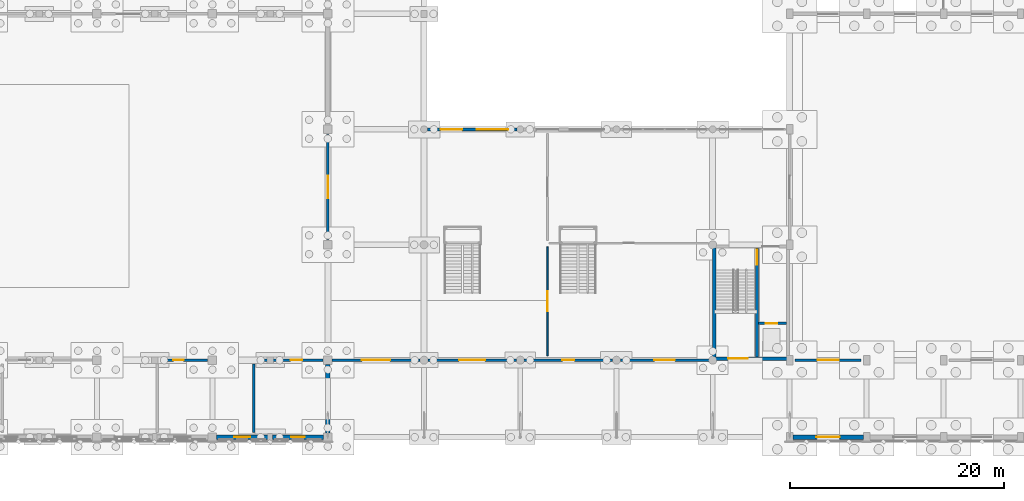
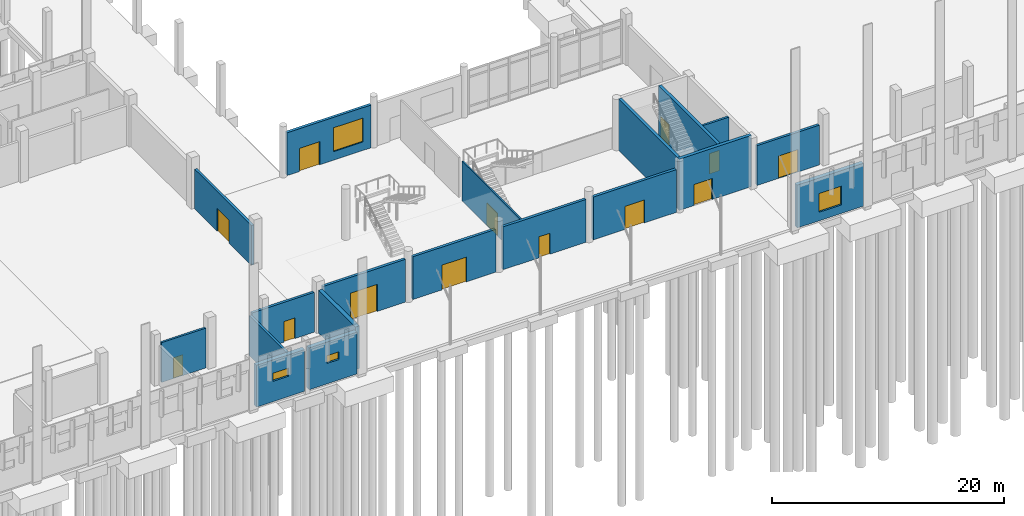
# One storey, part 84 of 109: 19 walls, 13 doors, 4 windows, 17 openings.
"""IFC4 building model written with IfcOpenShell, lengths in metres."""

from ifc_helpers import new_model, si_unit, direction, frame, frame_2d, origin, place, context, subcontext, project, spatial, rectangle, extrude, material, layer, layer_set, type_object, element, fill, save


model = new_model("IFC4")

# Units and contexts
model_context = context("Model", 3, precision=1e-05, world=origin(), true_north=direction((0.0, 1.0)))
body_context = subcontext(model_context, "Body", "Model", "MODEL_VIEW")
ifc_project = project(units=[si_unit("LENGTHUNIT", "METRE"), si_unit("AREAUNIT", "SQUARE_METRE"), si_unit("VOLUMEUNIT", "CUBIC_METRE"), si_unit("PLANEANGLEUNIT", "RADIAN"), si_unit("MASSUNIT", "GRAM", prefix="KILO")], contexts=[model_context])

# Site, building, storey
site_placement = place(None, origin())
site = spatial("IfcSite", under=ifc_project, at=site_placement, CompositionType="ELEMENT")
building_placement = place(site_placement, origin())
building = spatial("IfcBuilding", under=site, at=building_placement, Name="Lusvemor Sports Hall", CompositionType="ELEMENT")
storey_placement = place(building_placement, origin())
storey = spatial("IfcBuildingStorey", under=building, at=storey_placement, Name="L00", CompositionType="ELEMENT", Elevation=0.0)

# Wall, opening, door
ifc_material_1 = material(Name="Precast granite-faced Concrete C40/50 architectural cladding", Category="masonry")
ifc_layer_1 = layer(ifc_material_1, 0.27001953125)
ifc_layer_set_1 = layer_set([ifc_layer_1], Name="Precast granite-faced Concrete C40/50 architectural cladding")
wall_type_1 = type_object("IfcWallType", Name="EW_FOYER_270", PredefinedType="STANDARD", material=ifc_layer_set_1)
wall_1_placement = place(storey_placement, frame((84.23779296875, 7.199951171875, 0.0), z_axis=(0.0, 0.0, 1.0), x_axis=(-1.0, 0.0, 0.0)))
wall_1 = element("IfcWall", 1, at=wall_1_placement, inside=storey, type_object=wall_type_1, Name="Exterior Wall EW-V4S-L00-0", PredefinedType="STANDARD", context=body_context, shape_type="SweptSolid", body=[
    extrude(rectangle(XDim=8.24169921875, YDim=0.27001953125, at=frame_2d((4.120849609375, 0.0))), origin(), (0.0, 0.0, 1.0), 4.514892578125),
])
opening_1_placement = place(wall_1_placement, frame((2.81298828125, 0.0, 0.0)))
opening_1 = element("IfcOpeningElement", 2, at=opening_1_placement, cuts=wall_1, Name="Opening ED01", PredefinedType="OPENING", context=body_context, shape_type="SweptSolid", body=[
    extrude(rectangle(XDim=2.64990234375, YDim=2.85009765625, at=frame_2d((1.324951171875, 1.425048828125))), frame((0.0, 0.135009765625, 0.0), z_axis=(0.0, -1.0, 0.0), x_axis=(1.0, 0.0, 0.0)), (0.0, 0.0, 1.0), 0.27001953125),
])
ifc_material_2 = material(Name="Thermally broken bronze-anodized aluminium", Category="aluminium")
door_type_1 = type_object("IfcDoorType", Name="EDR_PORTAL_265x285", OperationType="NOTDEFINED", PredefinedType="DOOR", material=ifc_material_2)
door_1_placement = place(opening_1_placement, origin())
door_1 = element("IfcDoor", 3, at=door_1_placement, inside=storey, type_object=door_type_1, Name="DR-015", OperationType="SINGLE_SWING_LEFT", OverallHeight=2.85009765625, OverallWidth=2.64990234375, PredefinedType="DOOR", context=body_context, shape_type="SweptSolid", body=[
    extrude(rectangle(XDim=2.64990234375, YDim=2.85009765625, at=frame_2d((1.324951171875, 1.425048828125))), frame((0.0, 0.02490234375, 0.0), z_axis=(0.0, -1.0, 0.0), x_axis=(1.0, 0.0, 0.0)), (0.0, 0.0, 1.0), 0.050048828125),
])
fill(opening_1, door_1)

wall_2_placement = place(storey_placement, frame((93.23779296875, 7.199951171875, 0.0), z_axis=(0.0, 0.0, 1.0), x_axis=(-1.0, 0.0, 0.0)))
wall_2 = element("IfcWall", 4, at=wall_2_placement, inside=storey, type_object=wall_type_1, Name="Exterior Wall EW-V4S-L00-1", PredefinedType="STANDARD", context=body_context, shape_type="SweptSolid", body=[
    extrude(rectangle(XDim=8.275634765625, YDim=0.27001953125, at=frame_2d((4.1376953125, 0.0))), origin(), (0.0, 0.0, 1.0), 4.514892578125),
])
opening_2_placement = place(wall_2_placement, frame((2.927978515625, 0.0, 0.0)))
opening_2 = element("IfcOpeningElement", 5, at=opening_2_placement, cuts=wall_2, Name="Opening ED02", PredefinedType="OPENING", context=body_context, shape_type="SweptSolid", body=[
    extrude(rectangle(XDim=2.419921875, YDim=2.6201171875, at=frame_2d((1.2099609375, 1.31005859375))), frame((0.0, 0.135009765625, 0.0), z_axis=(0.0, -1.0, 0.0), x_axis=(1.0, 0.0, 0.0)), (0.0, 0.0, 1.0), 0.27001953125),
])
ifc_material_3 = material(Name="Thermally broken bronze-anodized aluminium", Category="aluminium")
door_type_2 = type_object("IfcDoorType", Name="EDR_FOYER_242x262", OperationType="NOTDEFINED", PredefinedType="DOOR", material=ifc_material_3)
door_2_placement = place(opening_2_placement, origin())
door_2 = element("IfcDoor", 6, at=door_2_placement, inside=storey, type_object=door_type_2, Name="DR-016", OperationType="SINGLE_SWING_RIGHT", OverallHeight=2.6201171875, OverallWidth=2.419921875, PredefinedType="DOOR", context=body_context, shape_type="SweptSolid", body=[
    extrude(rectangle(XDim=2.419921875, YDim=2.6201171875, at=frame_2d((1.2099609375, 1.31005859375))), frame((0.0, 0.02490234375, 0.0), z_axis=(0.0, -1.0, 0.0), x_axis=(1.0, 0.0, 0.0)), (0.0, 0.0, 1.0), 0.050048828125),
])
fill(opening_2, door_2)

# Wall, openings, door, window
wall_3_placement = place(storey_placement, frame((84.91064453125, 28.800048828125, 0.0), z_axis=(0.0, 0.0, 1.0), x_axis=(1.0, 0.0, 0.0)))
wall_3 = element("IfcWall", 7, at=wall_3_placement, inside=storey, type_object=wall_type_1, Name="Exterior Wall EW-V4N-L00-1", PredefinedType="STANDARD", context=body_context, shape_type="SweptSolid", body=[
    extrude(rectangle(XDim=8.378662109375, YDim=0.27001953125, at=frame_2d((4.189453125, 0.0))), origin(), (0.0, 0.0, 1.0), 4.514892578125),
])
opening_3_placement = place(wall_3_placement, frame((1.229248046875, 0.0, 0.0)))
opening_3 = element("IfcOpeningElement", 8, at=opening_3_placement, cuts=wall_3, Name="Opening ED05", PredefinedType="OPENING", context=body_context, shape_type="SweptSolid", body=[
    extrude(rectangle(XDim=2.02001953125, YDim=2.43994140625, at=frame_2d((1.010009765625, 1.219970703125))), frame((0.0, 0.135009765625, 0.0), z_axis=(0.0, -1.0, 0.0), x_axis=(1.0, 0.0, 0.0)), (0.0, 0.0, 1.0), 0.27001953125),
])
opening_4_placement = place(wall_3_placement, frame((4.62939453125, 0.0, 0.89990234375)))
opening_4 = element("IfcOpeningElement", 9, at=opening_4_placement, cuts=wall_3, Name="Opening WN26", PredefinedType="OPENING", context=body_context, shape_type="SweptSolid", body=[
    extrude(rectangle(XDim=2.919921875, YDim=2.52001953125, at=frame_2d((1.4599609375, 1.260009765625))), frame((0.0, 0.135009765625, 0.0), z_axis=(0.0, -1.0, 0.0), x_axis=(1.0, 0.0, 0.0)), (0.0, 0.0, 1.0), 0.27001953125),
])
ifc_material_4 = material(Name="Thermally broken bronze-anodized aluminium", Category="aluminium")
door_type_3 = type_object("IfcDoorType", Name="EDR_CAFE_202x244", OperationType="NOTDEFINED", PredefinedType="DOOR", material=ifc_material_4)
door_3_placement = place(opening_3_placement, origin())
door_3 = element("IfcDoor", 10, at=door_3_placement, inside=storey, type_object=door_type_3, Name="DR-017", OperationType="SINGLE_SWING_RIGHT", OverallHeight=2.43994140625, OverallWidth=2.02001953125, PredefinedType="DOOR", context=body_context, shape_type="SweptSolid", body=[
    extrude(rectangle(XDim=2.02001953125, YDim=2.43994140625, at=frame_2d((1.010009765625, 1.219970703125))), frame((0.0, 0.02490234375, 0.0), z_axis=(0.0, -1.0, 0.0), x_axis=(1.0, 0.0, 0.0)), (0.0, 0.0, 1.0), 0.050048828125),
])
fill(opening_3, door_3)
ifc_material_5 = material(Name="Solar-control laminated double glazing", Category="glass")
window_type_1 = type_object("IfcWindowType", Name="WIN_26", PartitioningType="SINGLE_PANEL", PredefinedType="WINDOW", material=ifc_material_5)
window_1_placement = place(opening_4_placement, origin())
window_1 = element("IfcWindow", 11, at=window_1_placement, inside=storey, type_object=window_type_1, Name="Community Cafe Garden Window 1", OverallHeight=2.52001953125, OverallWidth=2.919921875, PartitioningType="SINGLE_PANEL", PredefinedType="WINDOW", context=body_context, shape_type="SweptSolid", body=[
    extrude(rectangle(XDim=2.919921875, YDim=2.52001953125, at=frame_2d((1.4599609375, 1.260009765625))), frame((0.0, 0.030029296875, 0.0), z_axis=(0.0, -1.0, 0.0), x_axis=(1.0, 0.0, 0.0)), (0.0, 0.0, 1.0), 0.06005859375),
])
fill(opening_4, window_1)

# Wall, opening, door
wall_4_placement = place(storey_placement, frame((102.23779296875, 7.199951171875, 0.0), z_axis=(0.0, 0.0, 1.0), x_axis=(-1.0, 0.0, 0.0)))
wall_4 = element("IfcWall", 12, at=wall_4_placement, inside=storey, type_object=wall_type_1, Name="Exterior Wall EW-V4S-L00-2", PredefinedType="STANDARD", context=body_context, shape_type="SweptSolid", body=[
    extrude(rectangle(XDim=8.275634765625, YDim=0.27001953125, at=frame_2d((4.1376953125, 0.0))), origin(), (0.0, 0.0, 1.0), 4.514892578125),
])
opening_5_placement = place(wall_4_placement, frame((3.577880859375, 0.0, 0.0)))
opening_5 = element("IfcOpeningElement", 13, at=opening_5_placement, cuts=wall_4, Name="Opening ED11", PredefinedType="OPENING", context=body_context, shape_type="SweptSolid", body=[
    extrude(rectangle(XDim=1.1201171875, YDim=2.219970703125, at=frame_2d((0.56005859375, 1.10986328125))), frame((0.0, 0.135009765625, 0.0), z_axis=(0.0, -1.0, 0.0), x_axis=(1.0, 0.0, 0.0)), (0.0, 0.0, 1.0), 0.27001953125),
])
ifc_material_6 = material(Name="Thermally broken bronze-anodized aluminium", Category="aluminium")
door_type_4 = type_object("IfcDoorType", Name="EDR_SINGLE_112x222", OperationType="NOTDEFINED", PredefinedType="DOOR", material=ifc_material_6)
door_4_placement = place(opening_5_placement, origin())
door_4 = element("IfcDoor", 14, at=door_4_placement, inside=storey, type_object=door_type_4, Name="DR-018", OperationType="SINGLE_SWING_LEFT", OverallHeight=2.219970703125, OverallWidth=1.1201171875, PredefinedType="DOOR", context=body_context, shape_type="SweptSolid", body=[
    extrude(rectangle(XDim=1.1201171875, YDim=2.219970703125, at=frame_2d((0.56005859375, 1.10986328125))), frame((0.0, 0.02490234375, 0.0), z_axis=(0.0, -1.0, 0.0), x_axis=(1.0, 0.0, 0.0)), (0.0, 0.0, 1.0), 0.050048828125),
])
fill(opening_5, door_4)

wall_5_placement = place(storey_placement, frame((111.23779296875, 7.199951171875, 0.0), z_axis=(0.0, 0.0, 1.0), x_axis=(-1.0, 0.0, 0.0)))
wall_5 = element("IfcWall", 15, at=wall_5_placement, inside=storey, type_object=wall_type_1, Name="Exterior Wall EW-V4S-L00-3", PredefinedType="STANDARD", context=body_context, shape_type="SweptSolid", body=[
    extrude(rectangle(XDim=8.275634765625, YDim=0.27001953125, at=frame_2d((4.1376953125, 0.0))), origin(), (0.0, 0.0, 1.0), 4.514892578125),
])
opening_6_placement = place(wall_5_placement, frame((3.177978515625, 0.0, 0.0)))
opening_6 = element("IfcOpeningElement", 16, at=opening_6_placement, cuts=wall_5, Name="Opening ED06", PredefinedType="OPENING", context=body_context, shape_type="SweptSolid", body=[
    extrude(rectangle(XDim=1.919921875, YDim=2.419921875, at=frame_2d((0.9599609375, 1.2099609375))), frame((0.0, 0.135009765625, 0.0), z_axis=(0.0, -1.0, 0.0), x_axis=(1.0, 0.0, 0.0)), (0.0, 0.0, 1.0), 0.27001953125),
])
ifc_material_7 = material(Name="Thermally broken bronze-anodized aluminium", Category="aluminium")
door_type_5 = type_object("IfcDoorType", Name="EDR_SHOP_192x242", OperationType="NOTDEFINED", PredefinedType="DOOR", material=ifc_material_7)
door_5_placement = place(opening_6_placement, origin())
door_5 = element("IfcDoor", 17, at=door_5_placement, inside=storey, type_object=door_type_5, Name="DR-020", OperationType="SINGLE_SWING_RIGHT", OverallHeight=2.419921875, OverallWidth=1.919921875, PredefinedType="DOOR", context=body_context, shape_type="SweptSolid", body=[
    extrude(rectangle(XDim=1.919921875, YDim=2.419921875, at=frame_2d((0.9599609375, 1.2099609375))), frame((0.0, 0.02490234375, 0.0), z_axis=(0.0, -1.0, 0.0), x_axis=(1.0, 0.0, 0.0)), (0.0, 0.0, 1.0), 0.050048828125),
])
fill(opening_6, door_5)

# Wall
ifc_material_8 = material(Name="Precast granite-faced Concrete C40/50 architectural cladding", Category="masonry")
ifc_layer_2 = layer(ifc_material_8, 0.39501953125)
ifc_layer_set_2 = layer_set([ifc_layer_2], Name="Precast granite-faced Concrete C40/50 architectural cladding")
wall_type_2 = type_object("IfcWallType", Name="EW_GRANITE_395", PredefinedType="STANDARD", material=ifc_layer_set_2)
wall_6_placement = place(storey_placement, frame((75.60009765625, 6.803955078125, 0.0), z_axis=(0.0, 0.0, 1.0), x_axis=(0.0, -1.0, 0.0)))
element("IfcWall", 18, at=wall_6_placement, inside=storey, type_object=wall_type_2, Name="Exterior Wall EW-V1E-L00-1", PredefinedType="STANDARD", context=body_context, shape_type="SweptSolid", body=[
    extrude(rectangle(XDim=6.407958984375, YDim=0.39501953125, at=frame_2d((3.2041015625, 0.0))), origin(), (0.0, 0.0, 1.0), 4.4951171875),
])

# Wall, opening, window
wall_7_placement = place(storey_placement, frame((125.7041015625, 0.0, 0.0), z_axis=(0.0, 0.0, 1.0), x_axis=(-1.0, 0.0, 0.0)))
wall_7 = element("IfcWall", 19, at=wall_7_placement, inside=storey, type_object=wall_type_2, Name="Exterior Wall EW-V2S-L00-0", PredefinedType="STANDARD", context=body_context, shape_type="SweptSolid", body=[
    extrude(rectangle(XDim=6.608154296875, YDim=0.39501953125, at=frame_2d((3.30419921875, 0.0))), origin(), (0.0, 0.0, 1.0), 4.514892578125),
])
opening_7_placement = place(wall_7_placement, frame((2.194091796875, 0.0, 0.89990234375)))
opening_7 = element("IfcOpeningElement", 20, at=opening_7_placement, cuts=wall_7, Name="Opening WN28", PredefinedType="OPENING", context=body_context, shape_type="SweptSolid", body=[
    extrude(rectangle(XDim=2.219970703125, YDim=1.97998046875, at=frame_2d((1.10986328125, 0.989990234375))), frame((0.0, 0.197509765625, 0.0), z_axis=(0.0, -1.0, 0.0), x_axis=(1.0, 0.0, 0.0)), (0.0, 0.0, 1.0), 0.39501953125),
])
ifc_material_9 = material(Name="Solar-control laminated double glazing", Category="glass")
window_type_2 = type_object("IfcWindowType", Name="WIN_28", PartitioningType="SINGLE_PANEL", PredefinedType="WINDOW", material=ifc_material_9)
window_2_placement = place(opening_7_placement, origin())
window_2 = element("IfcWindow", 21, at=window_2_placement, inside=storey, type_object=window_type_2, Name="East Concourse Boulevard Window 0", OverallHeight=1.97998046875, OverallWidth=2.219970703125, PartitioningType="SINGLE_PANEL", PredefinedType="WINDOW", context=body_context, shape_type="SweptSolid", body=[
    extrude(rectangle(XDim=2.219970703125, YDim=1.97998046875, at=frame_2d((1.10986328125, 0.989990234375))), frame((0.0, 0.030029296875, 0.0), z_axis=(0.0, -1.0, 0.0), x_axis=(1.0, 0.0, 0.0)), (0.0, 0.0, 1.0), 0.06005859375),
])
fill(opening_7, window_2)

ifc_material_10 = material(Name="Precast granite-faced Concrete C40/50 architectural cladding", Category="masonry")
ifc_layer_3 = layer(ifc_material_10, 0.419921875)
ifc_layer_set_3 = layer_set([ifc_layer_3], Name="Precast granite-faced Concrete C40/50 architectural cladding")
wall_type_3 = type_object("IfcWallType", Name="EW_GRANITE_420", PredefinedType="STANDARD", material=ifc_layer_set_3)
wall_8_placement = place(storey_placement, frame((69.97900390625, 0.0, 0.0), z_axis=(0.0, 0.0, 1.0), x_axis=(-1.0, 0.0, 0.0)))
wall_8 = element("IfcWall", 22, at=wall_8_placement, inside=storey, type_object=wall_type_3, Name="Exterior Wall EW-V1S-L00-6-1", PredefinedType="STANDARD", context=body_context, shape_type="SweptSolid", body=[
    extrude(rectangle(XDim=4.782958984375, YDim=0.419921875, at=frame_2d((2.3916015625, 0.0))), origin(), (0.0, 0.0, 1.0), 4.405029296875),
])
opening_8_placement = place(wall_8_placement, frame((1.618896484375, 0.0, 2.14990234375)))
opening_8 = element("IfcOpeningElement", 23, at=opening_8_placement, cuts=wall_8, Name="Opening WN14", PredefinedType="OPENING", context=body_context, shape_type="SweptSolid", body=[
    extrude(rectangle(XDim=1.5400390625, YDim=0.860107421875, at=frame_2d((0.77001953125, 0.43017578125))), frame((0.0, 0.2099609375, 0.0), z_axis=(0.0, -1.0, 0.0), x_axis=(1.0, 0.0, 0.0)), (0.0, 0.0, 1.0), 0.419921875),
])
ifc_material_11 = material(Name="Solar-control laminated double glazing", Category="glass")
window_type_3 = type_object("IfcWindowType", Name="WIN_14", PartitioningType="SINGLE_PANEL", PredefinedType="WINDOW", material=ifc_material_11)
window_3_placement = place(opening_8_placement, origin())
window_3 = element("IfcWindow", 24, at=window_3_placement, inside=storey, type_object=window_type_3, Name="Boulevard Trough Changing Window 6.1", OverallHeight=0.860107421875, OverallWidth=1.5400390625, PartitioningType="SINGLE_PANEL", PredefinedType="WINDOW", context=body_context, shape_type="SweptSolid", body=[
    extrude(rectangle(XDim=1.5400390625, YDim=0.860107421875, at=frame_2d((0.77001953125, 0.43017578125))), frame((0.0, 0.030029296875, 0.0), z_axis=(0.0, -1.0, 0.0), x_axis=(1.0, 0.0, 0.0)), (0.0, 0.0, 1.0), 0.06005859375),
])
fill(opening_8, window_3)

wall_9_placement = place(storey_placement, frame((75.2041015625, 0.0, 0.0), z_axis=(0.0, 0.0, 1.0), x_axis=(-1.0, 0.0, 0.0)))
wall_9 = element("IfcWall", 25, at=wall_9_placement, inside=storey, type_object=wall_type_3, Name="Exterior Wall EW-V1S-L00-6-2", PredefinedType="STANDARD", context=body_context, shape_type="SweptSolid", body=[
    extrude(rectangle(XDim=4.783203125, YDim=0.419921875, at=frame_2d((2.3916015625, 0.0))), origin(), (0.0, 0.0, 1.0), 4.405029296875),
])
opening_9_placement = place(wall_9_placement, frame((1.77392578125, 0.0, 2.14990234375)))
opening_9 = element("IfcOpeningElement", 26, at=opening_9_placement, cuts=wall_9, Name="Opening WN15", PredefinedType="OPENING", context=body_context, shape_type="SweptSolid", body=[
    extrude(rectangle(XDim=1.239990234375, YDim=0.820068359375, at=frame_2d((0.6201171875, 0.41015625))), frame((0.0, 0.2099609375, 0.0), z_axis=(0.0, -1.0, 0.0), x_axis=(1.0, 0.0, 0.0)), (0.0, 0.0, 1.0), 0.419921875),
])
ifc_material_12 = material(Name="Solar-control laminated double glazing", Category="glass")
window_type_4 = type_object("IfcWindowType", Name="WIN_15", PartitioningType="SINGLE_PANEL", PredefinedType="WINDOW", material=ifc_material_12)
window_4_placement = place(opening_9_placement, origin())
window_4 = element("IfcWindow", 27, at=window_4_placement, inside=storey, type_object=window_type_4, Name="Boulevard Trough Changing Window 6.2", OverallHeight=0.820068359375, OverallWidth=1.239990234375, PartitioningType="SINGLE_PANEL", PredefinedType="WINDOW", context=body_context, shape_type="SweptSolid", body=[
    extrude(rectangle(XDim=1.239990234375, YDim=0.820068359375, at=frame_2d((0.6201171875, 0.41015625))), frame((0.0, 0.030029296875, 0.0), z_axis=(0.0, -1.0, 0.0), x_axis=(1.0, 0.0, 0.0)), (0.0, 0.0, 1.0), 0.06005859375),
])
fill(opening_9, window_4)

# Wall, opening, door
ifc_material_13 = material(Name="Double-leaf acoustic gypsum board on metal studs")
ifc_layer_4 = layer(ifc_material_13, 0.199951171875)
ifc_layer_set_4 = layer_set([ifc_layer_4], Name="Double-leaf acoustic gypsum board on metal studs")
wall_type_4 = type_object("IfcWallType", Name="IW_ACOUST_202", PredefinedType="STANDARD", material=ifc_layer_set_4)
wall_10_placement = place(storey_placement, frame((59.949951171875, 7.199951171875, 0.0), z_axis=(0.0, 0.0, 1.0), x_axis=(1.0, 0.0, 0.0)))
wall_10 = element("IfcWall", 28, at=wall_10_placement, inside=storey, type_object=wall_type_4, Name="Partition IW-L00-V1S-REF-S4", PredefinedType="STANDARD", context=body_context, shape_type="SweptSolid", body=[
    extrude(rectangle(XDim=4.400146484375, YDim=0.199951171875, at=frame_2d((2.2001953125, 0.0))), origin(), (0.0, 0.0, 1.0), 4.199951171875),
])
opening_10_placement = place(wall_10_placement, frame((1.2041015625, 0.0, 0.0)))
opening_10 = element("IfcOpeningElement", 29, at=opening_10_placement, cuts=wall_10, Name="Opening ID12", PredefinedType="OPENING", context=body_context, shape_type="SweptSolid", body=[
    extrude(rectangle(XDim=0.9599609375, YDim=2.139892578125, at=frame_2d((0.47998046875, 1.06982421875))), frame((0.0, 0.10009765625, 0.0), z_axis=(0.0, -1.0, 0.0), x_axis=(1.0, 0.0, 0.0)), (0.0, 0.0, 1.0), 0.199951171875),
])
ifc_material_14 = material(Name="Acoustic solid-core hardwood door leaf in steel frame", Category="steel")
door_type_6 = type_object("IfcDoorType", Name="IDR_REF_096", OperationType="NOTDEFINED", PredefinedType="DOOR", material=ifc_material_14)
door_6_placement = place(opening_10_placement, origin())
door_6 = element("IfcDoor", 30, at=door_6_placement, inside=storey, type_object=door_type_6, Name="DR-133", OperationType="SINGLE_SWING_RIGHT", OverallHeight=2.139892578125, OverallWidth=0.9599609375, PredefinedType="DOOR", context=body_context, shape_type="SweptSolid", body=[
    extrude(rectangle(XDim=0.9599609375, YDim=2.139892578125, at=frame_2d((0.47998046875, 1.06982421875))), frame((0.0, 0.02490234375, 0.0), z_axis=(0.0, -1.0, 0.0), x_axis=(1.0, 0.0, 0.0)), (0.0, 0.0, 1.0), 0.050048828125),
])
fill(opening_10, door_6)

ifc_material_15 = material(Name="Plastered ceramic masonry blockwork", Category="masonry")
ifc_layer_5 = layer(ifc_material_15, 0.25)
ifc_layer_set_5 = layer_set([ifc_layer_5], Name="Plastered ceramic masonry blockwork")
wall_type_5 = type_object("IfcWallType", Name="IW_COMP_248", PredefinedType="STANDARD", material=ifc_layer_set_5)
wall_11_placement = place(storey_placement, frame((68.949951171875, 7.199951171875, 0.0), z_axis=(0.0, 0.0, 1.0), x_axis=(1.0, 0.0, 0.0)))
wall_11 = element("IfcWall", 31, at=wall_11_placement, inside=storey, type_object=wall_type_5, Name="Partition IW-L00-V1S-FCR-S5", PredefinedType="STANDARD", context=body_context, shape_type="SweptSolid", body=[
    extrude(rectangle(XDim=6.199951171875, YDim=0.25, at=frame_2d((3.10009765625, 0.0))), origin(), (0.0, 0.0, 1.0), 4.199951171875),
])
opening_11_placement = place(wall_11_placement, frame((3.162109375, 0.0, 0.0)))
opening_11 = element("IfcOpeningElement", 32, at=opening_11_placement, cuts=wall_11, Name="Opening ID17", PredefinedType="OPENING", context=body_context, shape_type="SweptSolid", body=[
    extrude(rectangle(XDim=1.10009765625, YDim=2.179931640625, at=frame_2d((0.550048828125, 1.08984375))), frame((0.0, 0.125, 0.0), z_axis=(0.0, -1.0, 0.0), x_axis=(1.0, 0.0, 0.0)), (0.0, 0.0, 1.0), 0.25),
])
ifc_material_16 = material(Name="Fire-rated insulated painted steel door assembly", Category="steel")
door_type_7 = type_object("IfcDoorType", Name="IDR_FCR_FD60_110", OperationType="NOTDEFINED", PredefinedType="DOOR", material=ifc_material_16)
door_7_placement = place(opening_11_placement, origin())
door_7 = element("IfcDoor", 33, at=door_7_placement, inside=storey, type_object=door_type_7, Name="DR-134", OperationType="SINGLE_SWING_LEFT", OverallHeight=2.179931640625, OverallWidth=1.10009765625, PredefinedType="DOOR", context=body_context, shape_type="SweptSolid", body=[
    extrude(rectangle(XDim=1.10009765625, YDim=2.179931640625, at=frame_2d((0.550048828125, 1.08984375))), frame((0.0, 0.02490234375, 0.0), z_axis=(0.0, -1.0, 0.0), x_axis=(1.0, 0.0, 0.0)), (0.0, 0.0, 1.0), 0.050048828125),
])
fill(opening_11, door_7)

wall_12_placement = place(storey_placement, frame((75.60009765625, 18.5, 0.0), z_axis=(0.0, 0.0, 1.0), x_axis=(0.0, 1.0, 0.0)))
wall_12 = element("IfcWall", 34, at=wall_12_placement, inside=storey, type_object=wall_type_5, Name="Partition IW-L00-V1-FOY", PredefinedType="STANDARD", context=body_context, shape_type="SweptSolid", body=[
    extrude(rectangle(XDim=9.800048828125, YDim=0.25, at=frame_2d((4.89990234375, 0.0))), origin(), (0.0, 0.0, 1.0), 4.199951171875),
])
opening_12_placement = place(wall_12_placement, frame((3.85009765625, 0.0, 0.0)))
opening_12 = element("IfcOpeningElement", 35, at=opening_12_placement, cuts=wall_12, Name="Opening ID01", PredefinedType="OPENING", context=body_context, shape_type="SweptSolid", body=[
    extrude(rectangle(XDim=2.10009765625, YDim=2.39990234375, at=frame_2d((1.050048828125, 1.199951171875))), frame((0.0, 0.125, 0.0), z_axis=(0.0, -1.0, 0.0), x_axis=(1.0, 0.0, 0.0)), (0.0, 0.0, 1.0), 0.25),
])
ifc_material_17 = material(Name="Acoustic solid-core hardwood door leaf in steel frame", Category="steel")
door_type_8 = type_object("IfcDoorType", Name="IDR_COURT_DBL_210", OperationType="NOTDEFINED", PredefinedType="DOOR", material=ifc_material_17)
door_8_placement = place(opening_12_placement, origin())
door_8 = element("IfcDoor", 36, at=door_8_placement, inside=storey, type_object=door_type_8, Name="DR-144", OperationType="SINGLE_SWING_RIGHT", OverallHeight=2.39990234375, OverallWidth=2.10009765625, PredefinedType="DOOR", context=body_context, shape_type="SweptSolid", body=[
    extrude(rectangle(XDim=2.10009765625, YDim=2.39990234375, at=frame_2d((1.050048828125, 1.199951171875))), frame((0.0, 0.02490234375, 0.0), z_axis=(0.0, -1.0, 0.0), x_axis=(1.0, 0.0, 0.0)), (0.0, 0.0, 1.0), 0.050048828125),
])
fill(opening_12, door_8)

wall_13_placement = place(storey_placement, frame((119.300048828125, 7.199951171875, 0.0), z_axis=(0.0, 0.0, 1.0), x_axis=(1.0, 0.0, 0.0)))
wall_13 = element("IfcWall", 37, at=wall_13_placement, inside=storey, type_object=wall_type_5, Name="Partition IW-L00-V2S-1", PredefinedType="STANDARD", context=body_context, shape_type="SweptSolid", body=[
    extrude(rectangle(XDim=6.199951171875, YDim=0.25, at=frame_2d((3.10009765625, 0.0))), origin(), (0.0, 0.0, 1.0), 4.199951171875),
])
opening_13_placement = place(wall_13_placement, frame((2.1201171875, 0.0, 0.0)))
opening_13 = element("IfcOpeningElement", 38, at=opening_13_placement, cuts=wall_13, Name="Opening ID02", PredefinedType="OPENING", context=body_context, shape_type="SweptSolid", body=[
    extrude(rectangle(XDim=1.9599609375, YDim=2.360107421875, at=frame_2d((0.97998046875, 1.18017578125))), frame((0.0, 0.125, 0.0), z_axis=(0.0, -1.0, 0.0), x_axis=(1.0, 0.0, 0.0)), (0.0, 0.0, 1.0), 0.25),
])
ifc_material_18 = material(Name="Acoustic solid-core hardwood door leaf in steel frame", Category="steel")
door_type_9 = type_object("IfcDoorType", Name="IDR_COURT_DBL_196", OperationType="NOTDEFINED", PredefinedType="DOOR", material=ifc_material_18)
door_9_placement = place(opening_13_placement, origin())
door_9 = element("IfcDoor", 39, at=door_9_placement, inside=storey, type_object=door_type_9, Name="DR-149", OperationType="SINGLE_SWING_LEFT", OverallHeight=2.360107421875, OverallWidth=1.9599609375, PredefinedType="DOOR", context=body_context, shape_type="SweptSolid", body=[
    extrude(rectangle(XDim=1.9599609375, YDim=2.360107421875, at=frame_2d((0.97998046875, 1.18017578125))), frame((0.0, 0.02490234375, 0.0), z_axis=(0.0, -1.0, 0.0), x_axis=(1.0, 0.0, 0.0)), (0.0, 0.0, 1.0), 0.050048828125),
])
fill(opening_13, door_9)

ifc_material_19 = material(Name="Double-leaf acoustic gypsum board on metal studs")
ifc_layer_6 = layer(ifc_material_19, 0.139892578125)
ifc_layer_set_6 = layer_set([ifc_layer_6], Name="Double-leaf acoustic gypsum board on metal studs")
wall_type_6 = type_object("IfcWallType", Name="IW_PART_138", PredefinedType="STANDARD", material=ifc_layer_set_6)
wall_14_placement = place(storey_placement, frame((96.14990234375, 7.60009765625, 0.0), z_axis=(0.0, 0.0, 1.0), x_axis=(0.0, 1.0, 0.0)))
wall_14 = element("IfcWall", 40, at=wall_14_placement, inside=storey, type_object=wall_type_6, Name="Partition IW-L00-SHOP-W", PredefinedType="STANDARD", context=body_context, shape_type="SweptSolid", body=[
    extrude(rectangle(XDim=10.199951171875, YDim=0.139892578125, at=frame_2d((5.10009765625, 0.0))), origin(), (0.0, 0.0, 1.0), 4.199951171875),
])
opening_14_placement = place(wall_14_placement, frame((4.169921875, 0.0, 0.0)))
opening_14 = element("IfcOpeningElement", 41, at=opening_14_placement, cuts=wall_14, Name="Opening ID16", PredefinedType="OPENING", context=body_context, shape_type="SweptSolid", body=[
    extrude(rectangle(XDim=1.860107421875, YDim=2.320068359375, at=frame_2d((0.93017578125, 1.16015625))), frame((0.0, 0.06982421875, 0.0), z_axis=(0.0, -1.0, 0.0), x_axis=(1.0, 0.0, 0.0)), (0.0, 0.0, 1.0), 0.139892578125),
])
ifc_material_20 = material(Name="Acoustic solid-core hardwood door leaf in steel frame", Category="steel")
door_type_10 = type_object("IfcDoorType", Name="IDR_SHOP_INT_186", OperationType="NOTDEFINED", PredefinedType="DOOR", material=ifc_material_20)
door_10_placement = place(opening_14_placement, origin())
door_10 = element("IfcDoor", 42, at=door_10_placement, inside=storey, type_object=door_type_10, Name="DR-146", OperationType="SINGLE_SWING_RIGHT", OverallHeight=2.320068359375, OverallWidth=1.860107421875, PredefinedType="DOOR", context=body_context, shape_type="SweptSolid", body=[
    extrude(rectangle(XDim=1.860107421875, YDim=2.320068359375, at=frame_2d((0.93017578125, 1.16015625))), frame((0.0, 0.02490234375, 0.0), z_axis=(0.0, -1.0, 0.0), x_axis=(1.0, 0.0, 0.0)), (0.0, 0.0, 1.0), 0.050048828125),
])
fill(opening_14, door_10)

ifc_material_21 = material(Name="Concrete C40/50", Category="concrete")
ifc_layer_7 = layer(ifc_material_21, 0.2099609375)
ifc_layer_set_7 = layer_set([ifc_layer_7], Name="Concrete C40/50")
wall_type_7 = type_object("IfcWallType", Name="IW_SHFT_212", PredefinedType="STANDARD", material=ifc_layer_set_7)
wall_15_placement = place(storey_placement, frame((115.89990234375, 10.64990234375, 0.0), z_axis=(0.0, 0.0, 1.0), x_axis=(1.0, 0.0, 0.0)))
wall_15 = element("IfcWall", 43, at=wall_15_placement, inside=storey, type_object=wall_type_7, Name="Lift LP-04 Shaft Front Wall (L00)", PredefinedType="STANDARD", context=body_context, shape_type="SweptSolid", body=[
    extrude(rectangle(XDim=2.60009765625, YDim=0.2099609375, at=frame_2d((1.300048828125, 0.0))), origin(), (0.0, 0.0, 1.0), 5.39990234375),
])
opening_15_placement = place(wall_15_placement, frame((0.679931640625, 0.0, 0.0)))
opening_15 = element("IfcOpeningElement", 44, at=opening_15_placement, cuts=wall_15, Name="Opening LD-02", PredefinedType="OPENING", context=body_context, shape_type="SweptSolid", body=[
    extrude(rectangle(XDim=1.0400390625, YDim=2.159912109375, at=frame_2d((0.52001953125, 1.080078125))), frame((0.0, 0.10498046875, 0.0), z_axis=(0.0, -1.0, 0.0), x_axis=(1.0, 0.0, 0.0)), (0.0, 0.0, 1.0), 0.2099609375),
])
ifc_material_22 = material(Name="Brushed stainless-steel sliding lift landing door", Category="steel")
door_type_11 = type_object("IfcDoorType", Name="LIFT_DOOR_PAX_104", OperationType="NOTDEFINED", PredefinedType="DOOR", material=ifc_material_22)
door_11_placement = place(opening_15_placement, origin())
door_11 = element("IfcDoor", 45, at=door_11_placement, inside=storey, type_object=door_type_11, Name="DR-116", OperationType="SLIDING_TO_LEFT", OverallHeight=2.159912109375, OverallWidth=1.0400390625, PredefinedType="DOOR", context=body_context, shape_type="SweptSolid", body=[
    extrude(rectangle(XDim=1.0400390625, YDim=2.159912109375, at=frame_2d((0.52001953125, 1.080078125))), frame((0.0, 0.02490234375, 0.0), z_axis=(0.0, -1.0, 0.0), x_axis=(1.0, 0.0, 0.0)), (0.0, 0.0, 1.0), 0.050048828125),
])
fill(opening_15, door_11)

# Walls
ifc_material_23 = material(Name="Moisture-resistant tiled plumbing service wall")
ifc_layer_8 = layer(ifc_material_23, 0.239990234375)
ifc_layer_set_8 = layer_set([ifc_layer_8], Name="Moisture-resistant tiled plumbing service wall")
wall_type_8 = type_object("IfcWallType", Name="PW_WET_176", PredefinedType="PLUMBINGWALL", material=ifc_layer_set_8)
wall_16_placement = place(storey_placement, frame((68.64990234375, 0.449951171875, 0.0), z_axis=(0.0, 0.0, 1.0), x_axis=(0.0, 1.0, 0.0)))
element("IfcWall", 46, at=wall_16_placement, inside=storey, type_object=wall_type_8, Name="Partition IW-L00-V1SDIV-4", PredefinedType="PLUMBINGWALL", context=body_context, shape_type="SweptSolid", body=[
    extrude(rectangle(XDim=6.400146484375, YDim=0.239990234375, at=frame_2d((3.2001953125, 0.0))), origin(), (0.0, 0.0, 1.0), 4.199951171875),
])
ifc_material_24 = material(Name="Concrete C40/50", Category="concrete")
ifc_layer_9 = layer(ifc_material_24, 0.300048828125)
ifc_layer_set_9 = layer_set([ifc_layer_9], Name="Concrete C40/50")
wall_type_9 = type_object("IfcWallType", Name="WALL_CORE_300_INT", PredefinedType="SHEAR", material=ifc_layer_set_9)
wall_17_placement = place(storey_placement, frame((111.75, 7.5, 0.0), z_axis=(0.0, 0.0, 1.0), x_axis=(0.0, 1.0, 0.0)))
element("IfcWall", 47, at=wall_17_placement, inside=storey, type_object=wall_type_9, Name="Core C7 Central Foyer Shear Wall W (L00)", PredefinedType="SHEAR", context=body_context, shape_type="SweptSolid", body=[
    extrude(rectangle(XDim=10.199951171875, YDim=0.300048828125, at=frame_2d((5.10009765625, 0.0))), origin(), (0.0, 0.0, 1.0), 5.39990234375),
])

# Wall, opening, door
wall_18_placement = place(storey_placement, frame((115.75, 7.5, 0.0), z_axis=(0.0, 0.0, 1.0), x_axis=(0.0, 1.0, 0.0)))
wall_18 = element("IfcWall", 48, at=wall_18_placement, inside=storey, type_object=wall_type_9, Name="Core C7 Central Foyer Shear Wall M (L00)", PredefinedType="SHEAR", context=body_context, shape_type="SweptSolid", body=[
    extrude(rectangle(XDim=10.199951171875, YDim=0.300048828125, at=frame_2d((5.10009765625, 0.0))), origin(), (0.0, 0.0, 1.0), 5.39990234375),
])
opening_16_placement = place(wall_18_placement, frame((8.6298828125, 0.0, 0.0)))
opening_16 = element("IfcOpeningElement", 49, at=opening_16_placement, cuts=wall_18, Name="Opening DR-FD90-01", PredefinedType="OPENING", context=body_context, shape_type="SweptSolid", body=[
    extrude(rectangle(XDim=1.419921875, YDim=2.199951171875, at=frame_2d((0.7099609375, 1.10009765625))), frame((0.0, 0.14990234375, 0.0), z_axis=(0.0, -1.0, 0.0), x_axis=(1.0, 0.0, 0.0)), (0.0, 0.0, 1.0), 0.300048828125),
])
ifc_material_25 = material(Name="Fire-rated insulated painted steel door assembly", Category="steel")
door_type_12 = type_object("IfcDoorType", Name="IDR_STAIR_FD90_142", OperationType="NOTDEFINED", PredefinedType="DOOR", material=ifc_material_25)
door_12_placement = place(opening_16_placement, origin())
door_12 = element("IfcDoor", 50, at=door_12_placement, inside=storey, type_object=door_type_12, Name="DR-119", OperationType="SINGLE_SWING_RIGHT", OverallHeight=2.199951171875, OverallWidth=1.419921875, PredefinedType="DOOR", context=body_context, shape_type="SweptSolid", body=[
    extrude(rectangle(XDim=1.419921875, YDim=2.199951171875, at=frame_2d((0.7099609375, 1.10009765625))), frame((0.0, 0.02490234375, 0.0), z_axis=(0.0, -1.0, 0.0), x_axis=(1.0, 0.0, 0.0)), (0.0, 0.0, 1.0), 0.050048828125),
])
fill(opening_16, door_12)

ifc_material_26 = material(Name="Concrete C40/50", Category="concrete")
ifc_layer_10 = layer(ifc_material_26, 0.324951171875)
ifc_layer_set_10 = layer_set([ifc_layer_10], Name="Concrete C40/50")
wall_type_10 = type_object("IfcWallType", Name="WALL_CORE_325_EXT", PredefinedType="SHEAR", material=ifc_layer_set_10)
wall_19_placement = place(storey_placement, frame((118.800048828125, 7.35009765625, 0.0), z_axis=(0.0, 0.0, 1.0), x_axis=(-1.0, 0.0, 0.0)))
wall_19 = element("IfcWall", 51, at=wall_19_placement, inside=storey, type_object=wall_type_10, Name="Core C7 Central Foyer Shear Wall S (L00)", PredefinedType="SHEAR", context=body_context, shape_type="SweptSolid", body=[
    extrude(rectangle(XDim=7.199951171875, YDim=0.324951171875, at=frame_2d((3.60009765625, 0.0))), origin(), (0.0, 0.0, 1.0), 5.39990234375),
])
opening_17_placement = place(wall_19_placement, frame((3.89990234375, 0.0, 0.0)))
opening_17 = element("IfcOpeningElement", 52, at=opening_17_placement, cuts=wall_19, Name="Opening ED04", PredefinedType="OPENING", context=body_context, shape_type="SweptSolid", body=[
    extrude(rectangle(XDim=1.820068359375, YDim=2.219970703125, at=frame_2d((0.91015625, 1.10986328125))), frame((0.0, 0.16259765625, 0.0), z_axis=(0.0, -1.0, 0.0), x_axis=(1.0, 0.0, 0.0)), (0.0, 0.0, 1.0), 0.324951171875),
])
ifc_material_27 = material(Name="Thermally broken bronze-anodized aluminium", Category="aluminium")
door_type_13 = type_object("IfcDoorType", Name="EDR_STAIR_EXIT_182x222", OperationType="NOTDEFINED", PredefinedType="DOOR", material=ifc_material_27)
door_13_placement = place(opening_17_placement, origin())
door_13 = element("IfcDoor", 53, at=door_13_placement, inside=storey, type_object=door_type_13, Name="DR-007", OperationType="SINGLE_SWING_LEFT", OverallHeight=2.219970703125, OverallWidth=1.820068359375, PredefinedType="DOOR", context=body_context, shape_type="SweptSolid", body=[
    extrude(rectangle(XDim=1.820068359375, YDim=2.219970703125, at=frame_2d((0.91015625, 1.10986328125))), frame((0.0, 0.02490234375, 0.0), z_axis=(0.0, -1.0, 0.0), x_axis=(1.0, 0.0, 0.0)), (0.0, 0.0, 1.0), 0.050048828125),
])
fill(opening_17, door_13)

save(model, "model.ifc")
